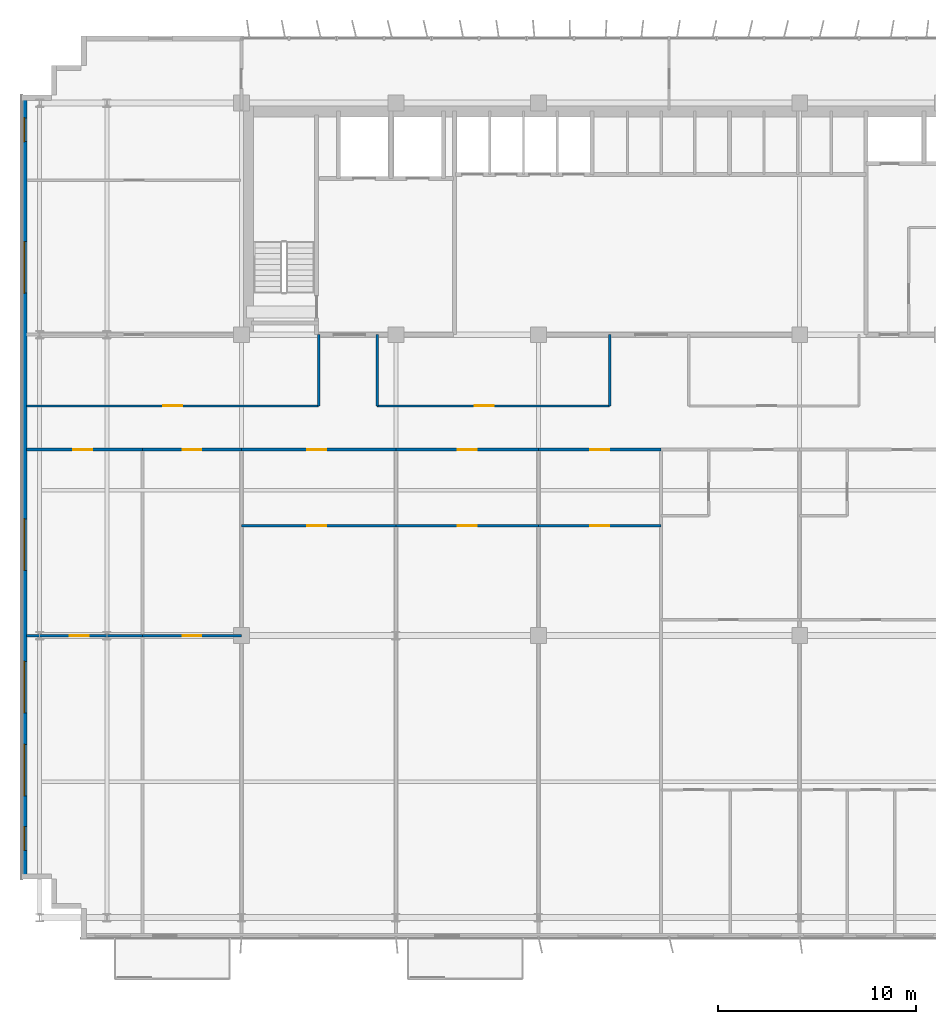
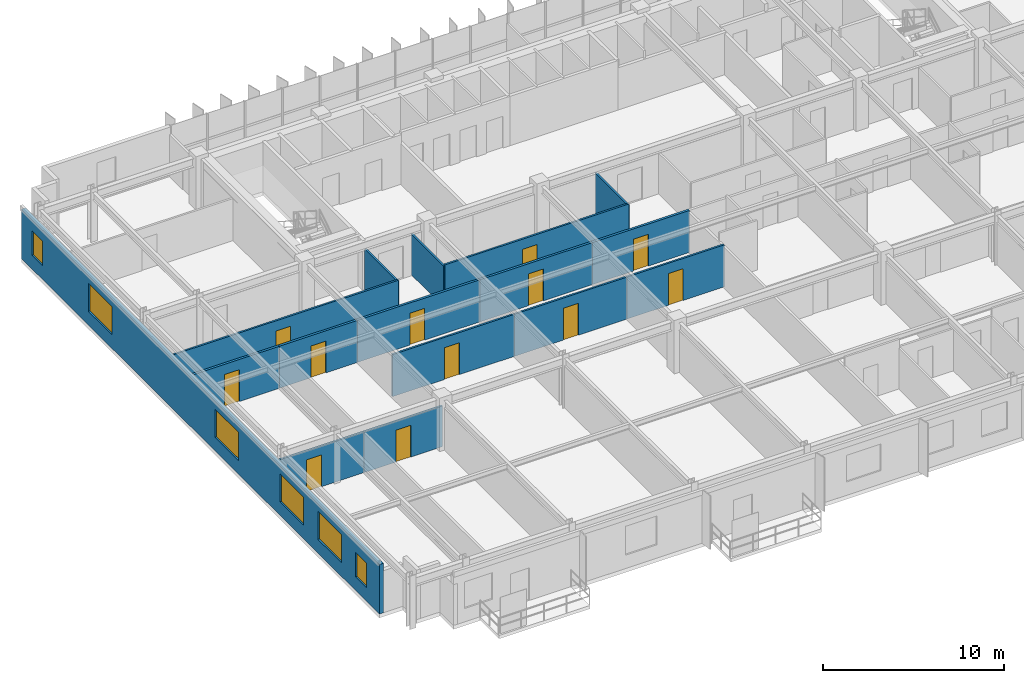
# One storey, part 14 of 22: 16 walls, 12 doors, 6 windows, 18 openings.
"""IFC4 building model written with IfcOpenShell, lengths in metres."""

from ifc_helpers import new_model, si_unit, direction, frame, frame_2d, origin, place, context, subcontext, project, spatial, rectangle, extrude, source, transform, mapped, material, layer, layer_set, type_object, element, fill, save


model = new_model("IFC4")

# Units and contexts
model_context = context("Model", 3, precision=1e-05, world=origin(), true_north=direction((0.0, 1.0)))
body_context = subcontext(model_context, "Body", "Model", "MODEL_VIEW")
ifc_project = project(units=[si_unit("LENGTHUNIT", "METRE"), si_unit("AREAUNIT", "SQUARE_METRE"), si_unit("VOLUMEUNIT", "CUBIC_METRE"), si_unit("PLANEANGLEUNIT", "RADIAN"), si_unit("MASSUNIT", "GRAM", prefix="KILO")], contexts=[model_context])

# Site, building, storey
site_placement = place(None, origin())
site = spatial("IfcSite", under=ifc_project, at=site_placement, CompositionType="ELEMENT")
building_placement = place(site_placement, origin())
building = spatial("IfcBuilding", under=site, at=building_placement, Name="Trelvane Seafront Commons", CompositionType="ELEMENT")
storey_placement = place(building_placement, frame((0.0, 0.0, 88.89990234375)))
storey = spatial("IfcBuildingStorey", under=building, at=storey_placement, Name="L22", CompositionType="ELEMENT", Elevation=88.89990234375)

# Wall, openings, windows
ifc_material_1 = material(Name="Precast concrete C40/50", Category="concrete")
ifc_layer_1 = layer(ifc_material_1, 0.260009765625, Name="ARCH-WALL-EXT260")
ifc_layer_set_1 = layer_set([ifc_layer_1], Name="Precast concrete C40/50")
wall_type_1 = type_object("IfcWallType", Name="ARCH-WALL-EXT260", PredefinedType="SOLIDWALL", material=ifc_layer_set_1)
wall_1_placement = place(storey_placement, frame((4.6298828125, 5.89990234375, 0.0), z_axis=(0.0, 0.0, 1.0), x_axis=(0.0, 1.0, 0.0)))
wall_1 = element("IfcWall", 1, at=wall_1_placement, inside=storey, type_object=wall_type_1, Name="EW-L22-00396", PredefinedType="SOLIDWALL", context=body_context, shape_type="SweptSolid", body=[
    extrude(rectangle(XDim=39.60009765625, YDim=0.260009765625, at=frame_2d((19.800048828125, 0.0))), origin(), (0.0, 0.0, 1.0), 3.340087890625),
])
opening_1_placement = place(wall_1_placement, frame((1.449951171875, 0.0, 0.919921875)))
opening_1 = element("IfcOpeningElement", 2, at=opening_1_placement, cuts=wall_1, Name="Opening W05", PredefinedType="OPENING", context=body_context, shape_type="SweptSolid", body=[
    extrude(rectangle(XDim=1.199951171875, YDim=1.64990234375, at=frame_2d((0.60009765625, 0.824951171875))), frame((0.0, 0.139892578125, 0.0), z_axis=(0.0, -1.0, 0.0), x_axis=(1.0, 0.0, 0.0)), (0.0, 0.0, 1.0), 0.280029296875),
])
opening_2_placement = place(wall_1_placement, frame((4.199951171875, 0.0, 0.919921875)))
opening_2 = element("IfcOpeningElement", 3, at=opening_2_placement, cuts=wall_1, Name="Opening W04", PredefinedType="OPENING", context=body_context, shape_type="SweptSolid", body=[
    extrude(rectangle(XDim=2.60009765625, YDim=1.89990234375, at=frame_2d((1.300048828125, 0.949951171875))), frame((0.0, 0.139892578125, 0.0), z_axis=(0.0, -1.0, 0.0), x_axis=(1.0, 0.0, 0.0)), (0.0, 0.0, 1.0), 0.280029296875),
])
opening_3_placement = place(wall_1_placement, frame((8.39990234375, 0.0, 0.919921875)))
opening_3 = element("IfcOpeningElement", 4, at=opening_3_placement, cuts=wall_1, Name="Opening W04", PredefinedType="OPENING", context=body_context, shape_type="SweptSolid", body=[
    extrude(rectangle(XDim=2.60009765625, YDim=1.89990234375, at=frame_2d((1.300048828125, 0.949951171875))), frame((0.0, 0.139892578125, 0.0), z_axis=(0.0, -1.0, 0.0), x_axis=(1.0, 0.0, 0.0)), (0.0, 0.0, 1.0), 0.280029296875),
])
opening_4_placement = place(wall_1_placement, frame((15.60009765625, 0.0, 0.919921875)))
opening_4 = element("IfcOpeningElement", 5, at=opening_4_placement, cuts=wall_1, Name="Opening W04", PredefinedType="OPENING", context=body_context, shape_type="SweptSolid", body=[
    extrude(rectangle(XDim=2.60009765625, YDim=1.89990234375, at=frame_2d((1.300048828125, 0.949951171875))), frame((0.0, 0.139892578125, 0.0), z_axis=(0.0, -1.0, 0.0), x_axis=(1.0, 0.0, 0.0)), (0.0, 0.0, 1.0), 0.280029296875),
])
opening_5_placement = place(wall_1_placement, frame((29.60009765625, 0.0, 0.919921875)))
opening_5 = element("IfcOpeningElement", 6, at=opening_5_placement, cuts=wall_1, Name="Opening W04", PredefinedType="OPENING", context=body_context, shape_type="SweptSolid", body=[
    extrude(rectangle(XDim=2.60009765625, YDim=1.89990234375, at=frame_2d((1.300048828125, 0.949951171875))), frame((0.0, 0.139892578125, 0.0), z_axis=(0.0, -1.0, 0.0), x_axis=(1.0, 0.0, 0.0)), (0.0, 0.0, 1.0), 0.280029296875),
])
opening_6_placement = place(wall_1_placement, frame((37.25, 0.0, 0.919921875)))
opening_6 = element("IfcOpeningElement", 7, at=opening_6_placement, cuts=wall_1, Name="Opening W05", PredefinedType="OPENING", context=body_context, shape_type="SweptSolid", body=[
    extrude(rectangle(XDim=1.199951171875, YDim=1.64990234375, at=frame_2d((0.60009765625, 0.824951171875))), frame((0.0, 0.139892578125, 0.0), z_axis=(0.0, -1.0, 0.0), x_axis=(1.0, 0.0, 0.0)), (0.0, 0.0, 1.0), 0.280029296875),
])
ifc_material_2 = material(Name="Low-E coastal double glazing", Category="glass")
window_type_1 = type_object("IfcWindowType", Name="ARCH-WIN-W04", PartitioningType="SINGLE_PANEL", PredefinedType="WINDOW", material=ifc_material_2)
shared_shape_1 = source(origin(), body_context, "Body", "SweptSolid", [
    extrude(rectangle(XDim=2.60009765625, YDim=1.89990234375, at=frame_2d((1.300048828125, 0.949951171875))), frame((0.0, 0.030029296875, 0.0), z_axis=(0.0, -1.0, 0.0), x_axis=(1.0, 0.0, 0.0)), (0.0, 0.0, 1.0), 0.06005859375),
])
window_1_placement = place(opening_2_placement, origin())
window_1 = element("IfcWindow", 8, at=window_1_placement, inside=storey, type_object=window_type_1, Name="WIN-L22-EW-00453", OverallHeight=1.89990234375, OverallWidth=2.60009765625, PartitioningType="SINGLE_PANEL", PredefinedType="WINDOW", context=body_context, shape_type="MappedRepresentation", body=[
    mapped(shared_shape_1, transform((0.0, 0.0, 0.0), x_axis=(1.0, 0.0, 0.0), y_axis=(0.0, 1.0, 0.0), z_axis=(0.0, 0.0, 1.0), scale=1.0)),
])
fill(opening_2, window_1)
window_2_placement = place(opening_3_placement, origin())
window_2 = element("IfcWindow", 9, at=window_2_placement, inside=storey, type_object=window_type_1, Name="WIN-L22-EW-00454", OverallHeight=1.89990234375, OverallWidth=2.60009765625, PartitioningType="SINGLE_PANEL", PredefinedType="WINDOW", context=body_context, shape_type="MappedRepresentation", body=[
    mapped(shared_shape_1, transform((0.0, 0.0, 0.0), x_axis=(1.0, 0.0, 0.0), y_axis=(0.0, 1.0, 0.0), z_axis=(0.0, 0.0, 1.0), scale=1.0)),
])
fill(opening_3, window_2)
window_3_placement = place(opening_4_placement, origin())
window_3 = element("IfcWindow", 10, at=window_3_placement, inside=storey, type_object=window_type_1, Name="WIN-L22-EW-00455", OverallHeight=1.89990234375, OverallWidth=2.60009765625, PartitioningType="SINGLE_PANEL", PredefinedType="WINDOW", context=body_context, shape_type="MappedRepresentation", body=[
    mapped(shared_shape_1, transform((0.0, 0.0, 0.0), x_axis=(1.0, 0.0, 0.0), y_axis=(0.0, 1.0, 0.0), z_axis=(0.0, 0.0, 1.0), scale=1.0)),
])
fill(opening_4, window_3)
window_4_placement = place(opening_5_placement, origin())
window_4 = element("IfcWindow", 11, at=window_4_placement, inside=storey, type_object=window_type_1, Name="WIN-L22-EW-00456", OverallHeight=1.89990234375, OverallWidth=2.60009765625, PartitioningType="SINGLE_PANEL", PredefinedType="WINDOW", context=body_context, shape_type="MappedRepresentation", body=[
    mapped(shared_shape_1, transform((0.0, 0.0, 0.0), x_axis=(1.0, 0.0, 0.0), y_axis=(0.0, 1.0, 0.0), z_axis=(0.0, 0.0, 1.0), scale=1.0)),
])
fill(opening_5, window_4)
window_type_2 = type_object("IfcWindowType", Name="ARCH-WIN-W05", PartitioningType="SINGLE_PANEL", PredefinedType="WINDOW", material=ifc_material_2)
shared_shape_2 = source(origin(), body_context, "Body", "SweptSolid", [
    extrude(rectangle(XDim=1.199951171875, YDim=1.64990234375, at=frame_2d((0.60009765625, 0.824951171875))), frame((0.0, 0.030029296875, 0.0), z_axis=(0.0, -1.0, 0.0), x_axis=(1.0, 0.0, 0.0)), (0.0, 0.0, 1.0), 0.06005859375),
])
window_5_placement = place(opening_1_placement, origin())
window_5 = element("IfcWindow", 12, at=window_5_placement, inside=storey, type_object=window_type_2, Name="WIN-L22-EW-00452", OverallHeight=1.64990234375, OverallWidth=1.199951171875, PartitioningType="SINGLE_PANEL", PredefinedType="WINDOW", context=body_context, shape_type="MappedRepresentation", body=[
    mapped(shared_shape_2, transform((0.0, 0.0, 0.0), x_axis=(1.0, 0.0, 0.0), y_axis=(0.0, 1.0, 0.0), z_axis=(0.0, 0.0, 1.0), scale=1.0)),
])
fill(opening_1, window_5)
window_6_placement = place(opening_6_placement, origin())
window_6 = element("IfcWindow", 13, at=window_6_placement, inside=storey, type_object=window_type_2, Name="WIN-L22-EW-00457", OverallHeight=1.64990234375, OverallWidth=1.199951171875, PartitioningType="SINGLE_PANEL", PredefinedType="WINDOW", context=body_context, shape_type="MappedRepresentation", body=[
    mapped(shared_shape_2, transform((0.0, 0.0, 0.0), x_axis=(1.0, 0.0, 0.0), y_axis=(0.0, 1.0, 0.0), z_axis=(0.0, 0.0, 1.0), scale=1.0)),
])
fill(opening_6, window_6)

# Wall, opening, door
ifc_material_3 = material(Name="Gypsum Drywall Acoustic Partition")
ifc_layer_2 = layer(ifc_material_3, 0.1201171875, Name="ARCH-WALL-PART120")
ifc_layer_set_2 = layer_set([ifc_layer_2], Name="Gypsum Drywall Acoustic Partition")
wall_type_2 = type_object("IfcWallType", Name="ARCH-WALL-PART120", PredefinedType="PARTITIONING", material=ifc_layer_set_2)
wall_2_placement = place(storey_placement, frame((4.75, 29.800048828125, 0.0), z_axis=(0.0, 0.0, 1.0), x_axis=(1.0, 0.0, 0.0)))
wall_2 = element("IfcWall", 14, at=wall_2_placement, inside=storey, type_object=wall_type_2, Name="W-L22-CORR-N-W-038", PredefinedType="PARTITIONING", context=body_context, shape_type="SweptSolid", body=[
    extrude(rectangle(XDim=14.75, YDim=0.1201171875, at=frame_2d((7.375, 0.0))), origin(), (0.0, 0.0, 1.0), 2.840087890625),
])
opening_7_placement = place(wall_2_placement, frame((6.89990234375, 0.0, 0.0)))
opening_7 = element("IfcOpeningElement", 15, at=opening_7_placement, cuts=wall_2, Name="Opening D-L22-17", PredefinedType="OPENING", context=body_context, shape_type="SweptSolid", body=[
    extrude(rectangle(XDim=0.949951171875, YDim=2.14990234375, at=frame_2d((0.47509765625, 1.074951171875))), frame((0.0, 0.070068359375, 0.0), z_axis=(0.0, -1.0, 0.0), x_axis=(1.0, 0.0, 0.0)), (0.0, 0.0, 1.0), 0.14013671875),
])
ifc_material_4 = material(Name="Acoustic timber door leaf", Category="wood")
door_type_1 = type_object("IfcDoorType", Name="ARCH-DR-INT950", OperationType="NOTDEFINED", PredefinedType="DOOR", material=ifc_material_4)
shared_shape_3 = source(origin(), body_context, "Body", "SweptSolid", [
    extrude(rectangle(XDim=0.949951171875, YDim=2.14990234375, at=frame_2d((0.47509765625, 1.074951171875))), frame((0.0, 0.02490234375, 0.0), z_axis=(0.0, -1.0, 0.0), x_axis=(1.0, 0.0, 0.0)), (0.0, 0.0, 1.0), 0.050048828125),
])
door_1_placement = place(opening_7_placement, origin())
door_1 = element("IfcDoor", 16, at=door_1_placement, inside=storey, type_object=door_type_1, Name="L22 Door 17", OperationType="SINGLE_SWING_LEFT", OverallHeight=2.14990234375, OverallWidth=0.949951171875, PredefinedType="DOOR", context=body_context, shape_type="MappedRepresentation", body=[
    mapped(shared_shape_3, transform((0.0, 0.0, 0.0), x_axis=(1.0, 0.0, 0.0), y_axis=(0.0, 1.0, 0.0), z_axis=(0.0, 0.0, 1.0), scale=1.0)),
])
fill(opening_7, door_1)

wall_3_placement = place(storey_placement, frame((22.449951171875, 29.800048828125, 0.0), z_axis=(0.0, 0.0, 1.0), x_axis=(1.0, 0.0, 0.0)))
wall_3 = element("IfcWall", 17, at=wall_3_placement, inside=storey, type_object=wall_type_2, Name="W-L22-CORR-N-M1-039", PredefinedType="PARTITIONING", context=body_context, shape_type="SweptSolid", body=[
    extrude(rectangle(XDim=11.75, YDim=0.1201171875, at=frame_2d((5.875, 0.0))), origin(), (0.0, 0.0, 1.0), 2.840087890625),
])
opening_8_placement = place(wall_3_placement, frame((4.944091796875, 0.0, 0.0)))
opening_8 = element("IfcOpeningElement", 18, at=opening_8_placement, cuts=wall_3, Name="Opening D-L22-18", PredefinedType="OPENING", context=body_context, shape_type="SweptSolid", body=[
    extrude(rectangle(XDim=0.949951171875, YDim=2.14990234375, at=frame_2d((0.47509765625, 1.074951171875))), frame((0.0, 0.070068359375, 0.0), z_axis=(0.0, -1.0, 0.0), x_axis=(1.0, 0.0, 0.0)), (0.0, 0.0, 1.0), 0.14013671875),
])
door_2_placement = place(opening_8_placement, origin())
door_2 = element("IfcDoor", 19, at=door_2_placement, inside=storey, type_object=door_type_1, Name="L22 Door 18", OperationType="SINGLE_SWING_RIGHT", OverallHeight=2.14990234375, OverallWidth=0.949951171875, PredefinedType="DOOR", context=body_context, shape_type="MappedRepresentation", body=[
    mapped(shared_shape_3, transform((0.0, 0.0, 0.0), x_axis=(1.0, 0.0, 0.0), y_axis=(0.0, 1.0, 0.0), z_axis=(0.0, 0.0, 1.0), scale=1.0)),
])
fill(opening_8, door_2)

# Walls
for number, where, z_axis, x_axis, name in (
    (20, (19.5, 29.800048828125, 0.0), (0.0, 0.0, 1.0), (0.0, 1.0, 0.0), "W-L22-N-SPUR-W1-043"),
    (21, (22.449951171875, 29.800048828125, 0.0), (0.0, 0.0, 1.0), (0.0, 1.0, 0.0), "W-L22-N-SPUR-W2-044"),
    (22, (34.199951171875, 29.800048828125, 0.0), (0.0, 0.0, 1.0), (0.0, 1.0, 0.0), "W-L22-N-SPUR-M1-045"),
):
    element("IfcWall", number, at=place(storey_placement, frame(where, z_axis=z_axis, x_axis=x_axis)), inside=storey, type_object=wall_type_2, Name=name, PredefinedType="PARTITIONING", context=body_context, shape_type="SweptSolid", body=[
        extrude(rectangle(XDim=3.599853515625, YDim=0.1201171875, at=frame_2d((1.7998046875, 0.0))), origin(), (0.0, 0.0, 1.0), 2.752197265625),
    ])

# Wall, opening, door
wall_4_placement = place(storey_placement, frame((4.7451171875, 18.199951171875, 0.0), z_axis=(0.0, 0.0, 1.0), x_axis=(1.0, 0.0, 0.0)))
wall_4 = element("IfcWall", 23, at=wall_4_placement, inside=storey, type_object=wall_type_2, Name="W-L22-U1-DIV-070", PredefinedType="PARTITIONING", context=body_context, shape_type="SweptSolid", body=[
    extrude(rectangle(XDim=5.85498046875, YDim=0.1201171875, at=frame_2d((2.927490234375, 0.0))), origin(), (0.0, 0.0, 1.0), 2.752197265625),
])
opening_9_placement = place(wall_4_placement, frame((2.181884765625, 0.0, 0.0)))
opening_9 = element("IfcOpeningElement", 24, at=opening_9_placement, cuts=wall_4, Name="Opening D-L22-32", PredefinedType="OPENING", context=body_context, shape_type="SweptSolid", body=[
    extrude(rectangle(XDim=0.949951171875, YDim=2.14990234375, at=frame_2d((0.47509765625, 1.074951171875))), frame((0.0, 0.070068359375, 0.0), z_axis=(0.0, -1.0, 0.0), x_axis=(1.0, 0.0, 0.0)), (0.0, 0.0, 1.0), 0.14013671875),
])
door_3_placement = place(opening_9_placement, origin())
door_3 = element("IfcDoor", 25, at=door_3_placement, inside=storey, type_object=door_type_1, Name="L22 Door 32", OperationType="SINGLE_SWING_RIGHT", OverallHeight=2.14990234375, OverallWidth=0.949951171875, PredefinedType="DOOR", context=body_context, shape_type="MappedRepresentation", body=[
    mapped(shared_shape_3, transform((0.0, 0.0, 0.0), x_axis=(1.0, 0.0, 0.0), y_axis=(0.0, 1.0, 0.0), z_axis=(0.0, 0.0, 1.0), scale=1.0)),
])
fill(opening_9, door_3)

wall_5_placement = place(storey_placement, frame((10.60009765625, 18.199951171875, 0.0), z_axis=(0.0, 0.0, 1.0), x_axis=(1.0, 0.0, 0.0)))
wall_5 = element("IfcWall", 26, at=wall_5_placement, inside=storey, type_object=wall_type_2, Name="W-L22-U2-DIV-072", PredefinedType="PARTITIONING", context=body_context, shape_type="SweptSolid", body=[
    extrude(rectangle(XDim=5.0, YDim=0.1201171875, at=frame_2d((2.5, 0.0))), origin(), (0.0, 0.0, 1.0), 2.752197265625),
])
opening_10_placement = place(wall_5_placement, frame((2.02490234375, 0.0, 0.0)))
opening_10 = element("IfcOpeningElement", 27, at=opening_10_placement, cuts=wall_5, Name="Opening D-L22-34", PredefinedType="OPENING", context=body_context, shape_type="SweptSolid", body=[
    extrude(rectangle(XDim=0.949951171875, YDim=2.14990234375, at=frame_2d((0.47509765625, 1.074951171875))), frame((0.0, 0.070068359375, 0.0), z_axis=(0.0, -1.0, 0.0), x_axis=(1.0, 0.0, 0.0)), (0.0, 0.0, 1.0), 0.14013671875),
])
door_4_placement = place(opening_10_placement, origin())
door_4 = element("IfcDoor", 28, at=door_4_placement, inside=storey, type_object=door_type_1, Name="L22 Door 34", OperationType="SINGLE_SWING_RIGHT", OverallHeight=2.14990234375, OverallWidth=0.949951171875, PredefinedType="DOOR", context=body_context, shape_type="MappedRepresentation", body=[
    mapped(shared_shape_3, transform((0.0, 0.0, 0.0), x_axis=(1.0, 0.0, 0.0), y_axis=(0.0, 1.0, 0.0), z_axis=(0.0, 0.0, 1.0), scale=1.0)),
])
fill(opening_10, door_4)

wall_6_placement = place(storey_placement, frame((15.60009765625, 23.75, 0.0), z_axis=(0.0, 0.0, 1.0), x_axis=(1.0, 0.0, 0.0)))
wall_6 = element("IfcWall", 29, at=wall_6_placement, inside=storey, type_object=wall_type_2, Name="W-L22-U3-DIV-074", PredefinedType="PARTITIONING", context=body_context, shape_type="SweptSolid", body=[
    extrude(rectangle(XDim=7.7998046875, YDim=0.1201171875, at=frame_2d((3.89990234375, 0.0))), origin(), (0.0, 0.0, 1.0), 2.840087890625),
])
opening_11_placement = place(wall_6_placement, frame((3.3330078125, 0.0, 0.0)))
opening_11 = element("IfcOpeningElement", 30, at=opening_11_placement, cuts=wall_6, Name="Opening D-L22-36", PredefinedType="OPENING", context=body_context, shape_type="SweptSolid", body=[
    extrude(rectangle(XDim=0.949951171875, YDim=2.14990234375, at=frame_2d((0.47509765625, 1.074951171875))), frame((0.0, 0.070068359375, 0.0), z_axis=(0.0, -1.0, 0.0), x_axis=(1.0, 0.0, 0.0)), (0.0, 0.0, 1.0), 0.14013671875),
])
door_5_placement = place(opening_11_placement, origin())
door_5 = element("IfcDoor", 31, at=door_5_placement, inside=storey, type_object=door_type_1, Name="L22 Door 36", OperationType="SINGLE_SWING_RIGHT", OverallHeight=2.14990234375, OverallWidth=0.949951171875, PredefinedType="DOOR", context=body_context, shape_type="MappedRepresentation", body=[
    mapped(shared_shape_3, transform((0.0, 0.0, 0.0), x_axis=(1.0, 0.0, 0.0), y_axis=(0.0, 1.0, 0.0), z_axis=(0.0, 0.0, 1.0), scale=1.0)),
])
fill(opening_11, door_5)

wall_7_placement = place(storey_placement, frame((23.39990234375, 23.75, 0.0), z_axis=(0.0, 0.0, 1.0), x_axis=(1.0, 0.0, 0.0)))
wall_7 = element("IfcWall", 32, at=wall_7_placement, inside=storey, type_object=wall_type_2, Name="W-L22-U4-DIV-076", PredefinedType="PARTITIONING", context=body_context, shape_type="SweptSolid", body=[
    extrude(rectangle(XDim=7.2001953125, YDim=0.1201171875, at=frame_2d((3.60009765625, 0.0))), origin(), (0.0, 0.0, 1.0), 2.840087890625),
])
opening_12_placement = place(wall_7_placement, frame((3.125, 0.0, 0.0)))
opening_12 = element("IfcOpeningElement", 33, at=opening_12_placement, cuts=wall_7, Name="Opening D-L22-38", PredefinedType="OPENING", context=body_context, shape_type="SweptSolid", body=[
    extrude(rectangle(XDim=0.949951171875, YDim=2.14990234375, at=frame_2d((0.47509765625, 1.074951171875))), frame((0.0, 0.070068359375, 0.0), z_axis=(0.0, -1.0, 0.0), x_axis=(1.0, 0.0, 0.0)), (0.0, 0.0, 1.0), 0.14013671875),
])
door_6_placement = place(opening_12_placement, origin())
door_6 = element("IfcDoor", 34, at=door_6_placement, inside=storey, type_object=door_type_1, Name="L22 Door 38", OperationType="SINGLE_SWING_RIGHT", OverallHeight=2.14990234375, OverallWidth=0.949951171875, PredefinedType="DOOR", context=body_context, shape_type="MappedRepresentation", body=[
    mapped(shared_shape_3, transform((0.0, 0.0, 0.0), x_axis=(1.0, 0.0, 0.0), y_axis=(0.0, 1.0, 0.0), z_axis=(0.0, 0.0, 1.0), scale=1.0)),
])
fill(opening_12, door_6)

wall_8_placement = place(storey_placement, frame((30.60009765625, 23.75, 0.0), z_axis=(0.0, 0.0, 1.0), x_axis=(1.0, 0.0, 0.0)))
wall_8 = element("IfcWall", 35, at=wall_8_placement, inside=storey, type_object=wall_type_2, Name="W-L22-U5-DIV-078", PredefinedType="PARTITIONING", context=body_context, shape_type="SweptSolid", body=[
    extrude(rectangle(XDim=6.199951171875, YDim=0.1201171875, at=frame_2d((3.10009765625, 0.0))), origin(), (0.0, 0.0, 1.0), 2.840087890625),
])
opening_13_placement = place(wall_8_placement, frame((2.625, 0.0, 0.0)))
opening_13 = element("IfcOpeningElement", 36, at=opening_13_placement, cuts=wall_8, Name="Opening D-L22-40", PredefinedType="OPENING", context=body_context, shape_type="SweptSolid", body=[
    extrude(rectangle(XDim=0.949951171875, YDim=2.14990234375, at=frame_2d((0.47509765625, 1.074951171875))), frame((0.0, 0.070068359375, 0.0), z_axis=(0.0, -1.0, 0.0), x_axis=(1.0, 0.0, 0.0)), (0.0, 0.0, 1.0), 0.14013671875),
])
door_7_placement = place(opening_13_placement, origin())
door_7 = element("IfcDoor", 37, at=door_7_placement, inside=storey, type_object=door_type_1, Name="L22 Door 40", OperationType="SINGLE_SWING_RIGHT", OverallHeight=2.14990234375, OverallWidth=0.949951171875, PredefinedType="DOOR", context=body_context, shape_type="MappedRepresentation", body=[
    mapped(shared_shape_3, transform((0.0, 0.0, 0.0), x_axis=(1.0, 0.0, 0.0), y_axis=(0.0, 1.0, 0.0), z_axis=(0.0, 0.0, 1.0), scale=1.0)),
])
fill(opening_13, door_7)

ifc_layer_3 = layer(ifc_material_3, 0.14990234375, Name="ARCH-WALL-PART150")
ifc_layer_set_3 = layer_set([ifc_layer_3], Name="Gypsum Drywall Acoustic Partition")
wall_type_3 = type_object("IfcWallType", Name="ARCH-WALL-PART150", PredefinedType="PARTITIONING", material=ifc_layer_set_3)
wall_9_placement = place(storey_placement, frame((4.7451171875, 27.60009765625, 0.0), z_axis=(0.0, 0.0, 1.0), x_axis=(1.0, 0.0, 0.0)))
wall_9 = element("IfcWall", 38, at=wall_9_placement, inside=storey, type_object=wall_type_3, Name="W-L22-CS-BAY-1-069", PredefinedType="PARTITIONING", context=body_context, shape_type="SweptSolid", body=[
    extrude(rectangle(XDim=5.85498046875, YDim=0.14990234375, at=frame_2d((2.927490234375, 0.0))), origin(), (0.0, 0.0, 1.0), 2.840087890625),
])
opening_14_placement = place(wall_9_placement, frame((2.362060546875, 0.0, 0.0)))
opening_14 = element("IfcOpeningElement", 39, at=opening_14_placement, cuts=wall_9, Name="Opening FD-L22-31", PredefinedType="OPENING", context=body_context, shape_type="SweptSolid", body=[
    extrude(rectangle(XDim=0.949951171875, YDim=2.14990234375, at=frame_2d((0.47509765625, 1.074951171875))), frame((0.0, 0.0849609375, 0.0), z_axis=(0.0, -1.0, 0.0), x_axis=(1.0, 0.0, 0.0)), (0.0, 0.0, 1.0), 0.169921875),
])
ifc_material_5 = material(Name="Powder-coated aluminium frame", Category="aluminium")
door_type_2 = type_object("IfcDoorType", Name="ARCH-DR-FD60-950", OperationType="NOTDEFINED", PredefinedType="DOOR", material=ifc_material_5)
door_8_placement = place(opening_14_placement, origin())
door_8 = element("IfcDoor", 40, at=door_8_placement, inside=storey, type_object=door_type_2, Name="L22 Bay 01 Entrance Door", OperationType="SINGLE_SWING_LEFT", OverallHeight=2.14990234375, OverallWidth=0.949951171875, PredefinedType="DOOR", context=body_context, shape_type="MappedRepresentation", body=[
    mapped(shared_shape_3, transform((0.0, 0.0, 0.0), x_axis=(1.0, 0.0, 0.0), y_axis=(0.0, 1.0, 0.0), z_axis=(0.0, 0.0, 1.0), scale=1.0)),
])
fill(opening_14, door_8)

wall_10_placement = place(storey_placement, frame((10.60009765625, 27.60009765625, 0.0), z_axis=(0.0, 0.0, 1.0), x_axis=(1.0, 0.0, 0.0)))
wall_10 = element("IfcWall", 41, at=wall_10_placement, inside=storey, type_object=wall_type_3, Name="W-L22-CS-BAY-2-071", PredefinedType="PARTITIONING", context=body_context, shape_type="SweptSolid", body=[
    extrude(rectangle(XDim=5.0, YDim=0.14990234375, at=frame_2d((2.5, 0.0))), origin(), (0.0, 0.0, 1.0), 2.840087890625),
])
opening_15_placement = place(wall_10_placement, frame((2.02490234375, 0.0, 0.0)))
opening_15 = element("IfcOpeningElement", 42, at=opening_15_placement, cuts=wall_10, Name="Opening FD-L22-33", PredefinedType="OPENING", context=body_context, shape_type="SweptSolid", body=[
    extrude(rectangle(XDim=0.949951171875, YDim=2.14990234375, at=frame_2d((0.47509765625, 1.074951171875))), frame((0.0, 0.0849609375, 0.0), z_axis=(0.0, -1.0, 0.0), x_axis=(1.0, 0.0, 0.0)), (0.0, 0.0, 1.0), 0.169921875),
])
door_9_placement = place(opening_15_placement, origin())
door_9 = element("IfcDoor", 43, at=door_9_placement, inside=storey, type_object=door_type_2, Name="L22 Bay 02 Entrance Door", OperationType="SINGLE_SWING_LEFT", OverallHeight=2.14990234375, OverallWidth=0.949951171875, PredefinedType="DOOR", context=body_context, shape_type="MappedRepresentation", body=[
    mapped(shared_shape_3, transform((0.0, 0.0, 0.0), x_axis=(1.0, 0.0, 0.0), y_axis=(0.0, 1.0, 0.0), z_axis=(0.0, 0.0, 1.0), scale=1.0)),
])
fill(opening_15, door_9)

wall_11_placement = place(storey_placement, frame((15.60009765625, 27.60009765625, 0.0), z_axis=(0.0, 0.0, 1.0), x_axis=(1.0, 0.0, 0.0)))
wall_11 = element("IfcWall", 44, at=wall_11_placement, inside=storey, type_object=wall_type_3, Name="W-L22-CS-BAY-3-073", PredefinedType="PARTITIONING", context=body_context, shape_type="SweptSolid", body=[
    extrude(rectangle(XDim=7.7998046875, YDim=0.14990234375, at=frame_2d((3.89990234375, 0.0))), origin(), (0.0, 0.0, 1.0), 2.840087890625),
])
opening_16_placement = place(wall_11_placement, frame((3.3330078125, 0.0, 0.0)))
opening_16 = element("IfcOpeningElement", 45, at=opening_16_placement, cuts=wall_11, Name="Opening FD-L22-35", PredefinedType="OPENING", context=body_context, shape_type="SweptSolid", body=[
    extrude(rectangle(XDim=0.949951171875, YDim=2.14990234375, at=frame_2d((0.47509765625, 1.074951171875))), frame((0.0, 0.0849609375, 0.0), z_axis=(0.0, -1.0, 0.0), x_axis=(1.0, 0.0, 0.0)), (0.0, 0.0, 1.0), 0.169921875),
])
door_10_placement = place(opening_16_placement, origin())
door_10 = element("IfcDoor", 46, at=door_10_placement, inside=storey, type_object=door_type_2, Name="L22 Bay 03 Entrance Door", OperationType="SINGLE_SWING_LEFT", OverallHeight=2.14990234375, OverallWidth=0.949951171875, PredefinedType="DOOR", context=body_context, shape_type="MappedRepresentation", body=[
    mapped(shared_shape_3, transform((0.0, 0.0, 0.0), x_axis=(1.0, 0.0, 0.0), y_axis=(0.0, 1.0, 0.0), z_axis=(0.0, 0.0, 1.0), scale=1.0)),
])
fill(opening_16, door_10)

wall_12_placement = place(storey_placement, frame((23.39990234375, 27.60009765625, 0.0), z_axis=(0.0, 0.0, 1.0), x_axis=(1.0, 0.0, 0.0)))
wall_12 = element("IfcWall", 47, at=wall_12_placement, inside=storey, type_object=wall_type_3, Name="W-L22-CS-BAY-4-075", PredefinedType="PARTITIONING", context=body_context, shape_type="SweptSolid", body=[
    extrude(rectangle(XDim=7.2001953125, YDim=0.14990234375, at=frame_2d((3.60009765625, 0.0))), origin(), (0.0, 0.0, 1.0), 2.840087890625),
])
opening_17_placement = place(wall_12_placement, frame((3.125, 0.0, 0.0)))
opening_17 = element("IfcOpeningElement", 48, at=opening_17_placement, cuts=wall_12, Name="Opening FD-L22-37", PredefinedType="OPENING", context=body_context, shape_type="SweptSolid", body=[
    extrude(rectangle(XDim=0.949951171875, YDim=2.14990234375, at=frame_2d((0.47509765625, 1.074951171875))), frame((0.0, 0.0849609375, 0.0), z_axis=(0.0, -1.0, 0.0), x_axis=(1.0, 0.0, 0.0)), (0.0, 0.0, 1.0), 0.169921875),
])
door_11_placement = place(opening_17_placement, origin())
door_11 = element("IfcDoor", 49, at=door_11_placement, inside=storey, type_object=door_type_2, Name="L22 Bay 04 Entrance Door", OperationType="SINGLE_SWING_LEFT", OverallHeight=2.14990234375, OverallWidth=0.949951171875, PredefinedType="DOOR", context=body_context, shape_type="MappedRepresentation", body=[
    mapped(shared_shape_3, transform((0.0, 0.0, 0.0), x_axis=(1.0, 0.0, 0.0), y_axis=(0.0, 1.0, 0.0), z_axis=(0.0, 0.0, 1.0), scale=1.0)),
])
fill(opening_17, door_11)

wall_13_placement = place(storey_placement, frame((30.60009765625, 27.60009765625, 0.0), z_axis=(0.0, 0.0, 1.0), x_axis=(1.0, 0.0, 0.0)))
wall_13 = element("IfcWall", 50, at=wall_13_placement, inside=storey, type_object=wall_type_3, Name="W-L22-CS-BAY-5-077", PredefinedType="PARTITIONING", context=body_context, shape_type="SweptSolid", body=[
    extrude(rectangle(XDim=6.199951171875, YDim=0.14990234375, at=frame_2d((3.10009765625, 0.0))), origin(), (0.0, 0.0, 1.0), 2.840087890625),
])
opening_18_placement = place(wall_13_placement, frame((2.625, 0.0, 0.0)))
opening_18 = element("IfcOpeningElement", 51, at=opening_18_placement, cuts=wall_13, Name="Opening FD-L22-39", PredefinedType="OPENING", context=body_context, shape_type="SweptSolid", body=[
    extrude(rectangle(XDim=0.949951171875, YDim=2.14990234375, at=frame_2d((0.47509765625, 1.074951171875))), frame((0.0, 0.0849609375, 0.0), z_axis=(0.0, -1.0, 0.0), x_axis=(1.0, 0.0, 0.0)), (0.0, 0.0, 1.0), 0.169921875),
])
door_12_placement = place(opening_18_placement, origin())
door_12 = element("IfcDoor", 52, at=door_12_placement, inside=storey, type_object=door_type_2, Name="L22 Bay 05 Entrance Door", OperationType="SINGLE_SWING_LEFT", OverallHeight=2.14990234375, OverallWidth=0.949951171875, PredefinedType="DOOR", context=body_context, shape_type="MappedRepresentation", body=[
    mapped(shared_shape_3, transform((0.0, 0.0, 0.0), x_axis=(1.0, 0.0, 0.0), y_axis=(0.0, 1.0, 0.0), z_axis=(0.0, 0.0, 1.0), scale=1.0)),
])
fill(opening_18, door_12)

save(model, "model.ifc")
